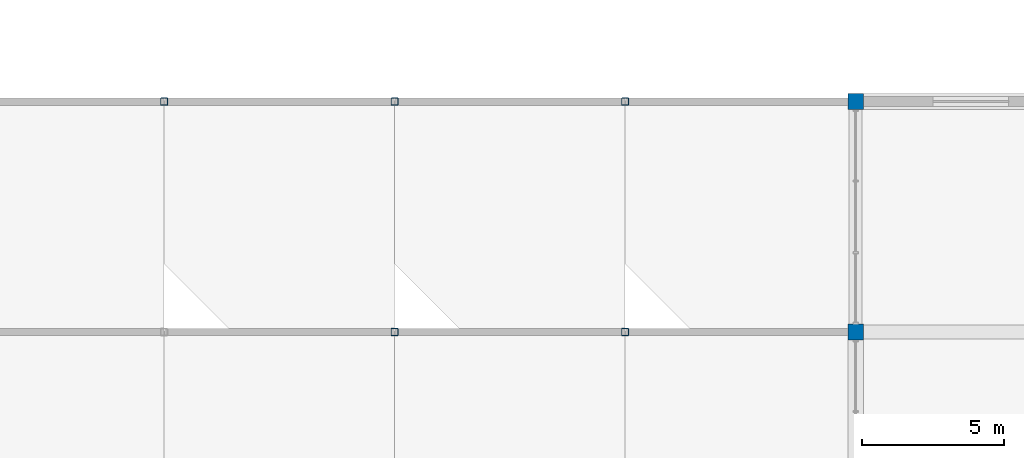
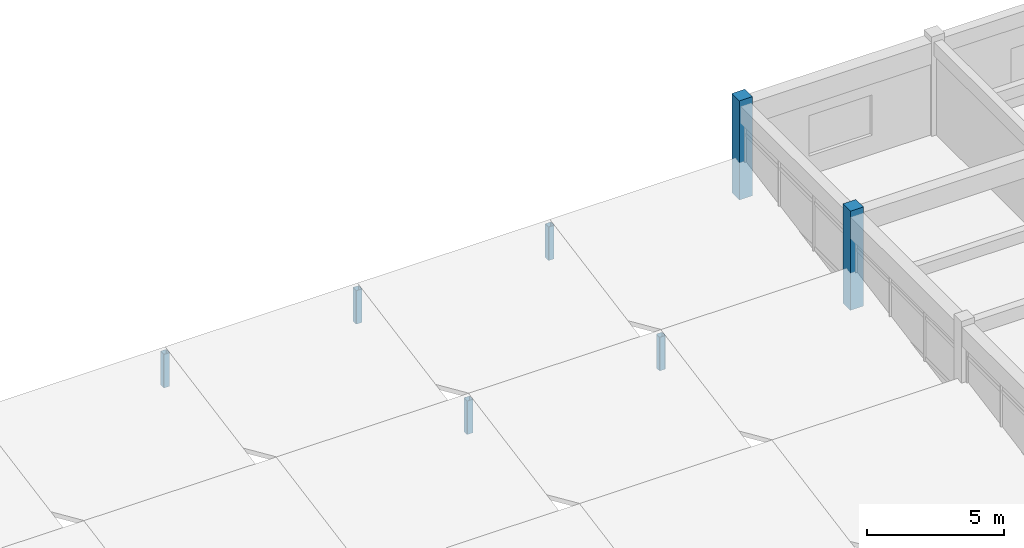
# One storey, part 9 of 33: 7 columns.
"""IFC4 building model written with IfcOpenShell, lengths in metres."""

from ifc_helpers import new_model, si_unit, direction, frame, origin, origin_2d, place, context, subcontext, project, spatial, rectangle, hollow_rectangle, extrude, material, material_profile, profile_set, type_object, element, save


model = new_model("IFC4")

# Units and contexts
model_context = context("Model", 3, precision=1e-05, world=origin(), true_north=direction((0.0, 1.0)))
body_context = subcontext(model_context, "Body", "Model", "MODEL_VIEW")
ifc_project = project(units=[si_unit("LENGTHUNIT", "METRE"), si_unit("AREAUNIT", "SQUARE_METRE"), si_unit("VOLUMEUNIT", "CUBIC_METRE"), si_unit("PLANEANGLEUNIT", "RADIAN"), si_unit("MASSUNIT", "GRAM", prefix="KILO")], contexts=[model_context])

# Site, building, storey
site_placement = place(None, origin())
site = spatial("IfcSite", under=ifc_project, at=site_placement, CompositionType="ELEMENT")
building_placement = place(site_placement, origin())
building = spatial("IfcBuilding", under=site, at=building_placement, Name="Vaudrelin Polytechnic", CompositionType="ELEMENT")
storey_placement = place(building_placement, frame((0.0, 0.0, 27.3701171875)))
storey = spatial("IfcBuildingStorey", under=building, at=storey_placement, Name="L06", CompositionType="ELEMENT", Elevation=27.3701171875)

# Columns
ifc_material_1 = material(Name="Steel CSA G40.21 350W", Category="steel")
ifc_material_profile_1 = material_profile(ifc_material_1, hollow_rectangle(XDim=0.25390625, YDim=0.25390625, WallThickness=0.0126953125, InnerFilletRadius=0.0126953125, OuterFilletRadius=0.025390625, at=origin_2d()), Name="HSS254x254x12.7")
ifc_profile_set_1 = profile_set([ifc_material_profile_1], Name="Steel CSA G40.21 350W")
column_type_1 = type_object("IfcColumnType", Name="COL-C-HSS254", PredefinedType="COLUMN", material=ifc_profile_set_1)
for number, where, z_axis, x_axis, name in (
    (1, (121.5, 113.39990234375, 0.0), (0.0, 0.0, 1.0), (1.0, 0.0, 0.0), "Sawtooth north clerestory post 15-14"),
    (2, (129.60009765625, 113.39990234375, 0.0), (0.0, 0.0, 1.0), (1.0, 0.0, 0.0), "Sawtooth north clerestory post 16-14"),
    (3, (113.39990234375, 121.5, 0.0), (0.0, 0.0, 1.0), (1.0, 0.0, 0.0), "Sawtooth north clerestory post 14-15"),
    (4, (121.5, 121.5, 0.0), (0.0, 0.0, 1.0), (1.0, 0.0, 0.0), "Sawtooth north clerestory post 15-15"),
    (5, (129.60009765625, 121.5, 0.0), (0.0, 0.0, 1.0), (1.0, 0.0, 0.0), "Sawtooth north clerestory post 16-15"),
):
    element("IfcColumn", number, at=place(storey_placement, frame(where, z_axis=z_axis, x_axis=x_axis)), inside=storey, type_object=column_type_1, Name=name, PredefinedType="COLUMN", context=body_context, shape_type="SweptSolid", body=[
        extrude(hollow_rectangle(XDim=0.25390625, YDim=0.25390625, WallThickness=0.0126953125, InnerFilletRadius=0.0126953125, OuterFilletRadius=0.025390625, at=origin_2d()), origin(), (0.0, 0.0, 1.0), 1.490966796875),
    ])
ifc_material_2 = material(Name="Concrete 40 MPa", Category="concrete")
ifc_material_profile_2 = material_profile(ifc_material_2, rectangle(XDim=0.550048828125, YDim=0.550048828125, at=origin_2d()), Name="RC550x550")
ifc_profile_set_2 = profile_set([ifc_material_profile_2], Name="Concrete 40 MPa")
column_type_2 = type_object("IfcColumnType", Name="COL-C-RC550", PredefinedType="COLUMN", material=ifc_profile_set_2)
for number, where, z_axis, x_axis, name in (
    (6, (137.699951171875, 113.39990234375, 0.0), (0.0, 0.0, 1.0), (1.0, 0.0, 0.0), "Column L06 18-15"),
    (7, (137.699951171875, 121.5, 0.0), (0.0, 0.0, 1.0), (1.0, 0.0, 0.0), "Column L06 18-16"),
):
    element("IfcColumn", number, at=place(storey_placement, frame(where, z_axis=z_axis, x_axis=x_axis)), inside=storey, type_object=column_type_2, Name=name, PredefinedType="COLUMN", context=body_context, shape_type="SweptSolid", body=[
        extrude(rectangle(XDim=0.550048828125, YDim=0.550048828125, at=origin_2d()), origin(), (0.0, 0.0, 1.0), 4.419921875),
    ])

save(model, "model.ifc")
